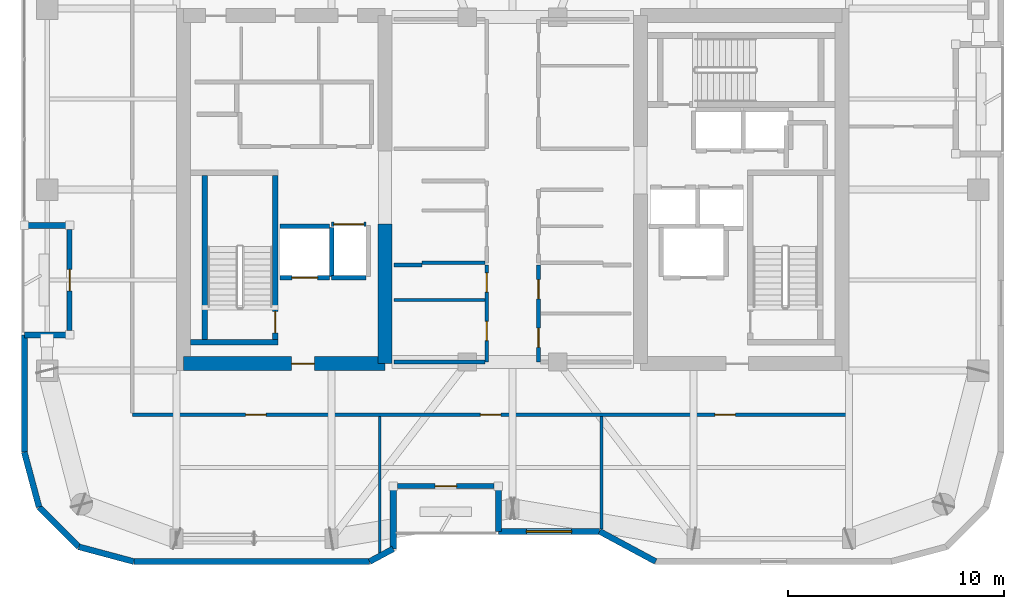
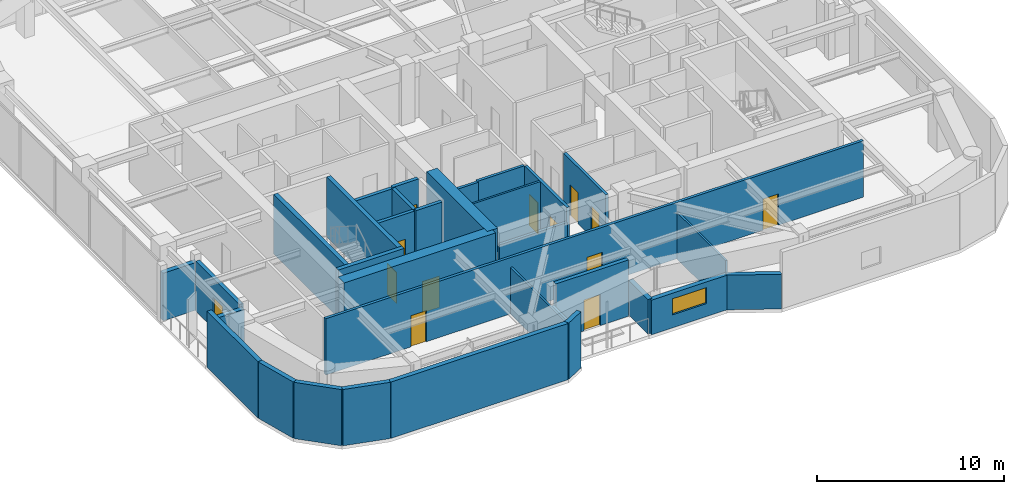
# One storey, part 15 of 21: 33 walls, 13 doors, 1 window, 14 openings.
"""IFC4 building model written with IfcOpenShell, lengths in metres."""

from ifc_helpers import new_model, si_unit, direction, frame, frame_2d, origin, place, context, subcontext, project, spatial, rectangle, extrude, material, layer, layer_set, type_object, element, fill, save


model = new_model("IFC4")

# Units and contexts
model_context = context("Model", 3, precision=1e-05, world=origin(), true_north=direction((0.0, 1.0)))
body_context = subcontext(model_context, "Body", "Model", "MODEL_VIEW")
ifc_project = project(units=[si_unit("LENGTHUNIT", "METRE"), si_unit("AREAUNIT", "SQUARE_METRE"), si_unit("VOLUMEUNIT", "CUBIC_METRE"), si_unit("PLANEANGLEUNIT", "RADIAN"), si_unit("MASSUNIT", "GRAM", prefix="KILO")], contexts=[model_context])

# Site, building, storey
site_placement = place(None, origin())
site = spatial("IfcSite", under=ifc_project, at=site_placement, CompositionType="ELEMENT")
building_placement = place(site_placement, origin())
building = spatial("IfcBuilding", under=site, at=building_placement, Name="Kiyonajd Concourse Tower", CompositionType="ELEMENT")
storey_placement = place(building_placement, frame((0.0, 0.0, 234.89990234375)))
storey = spatial("IfcBuildingStorey", under=building, at=storey_placement, Name="L59", CompositionType="ELEMENT", Elevation=234.89990234375)

# Wall
ifc_material_1 = material(Name="Concrete C60/75", Category="concrete")
ifc_layer_1 = layer(ifc_material_1, 0.64990234375)
ifc_layer_set_1 = layer_set([ifc_layer_1], Name="Concrete C60/75")
wall_type_1 = type_object("IfcWallType", Name="WL-CORE-650", PredefinedType="SHEAR", material=ifc_layer_set_1)
wall_1_placement = place(storey_placement, frame((42.074951171875, 27.925048828125, 0.0), z_axis=(0.0, 0.0, 1.0), x_axis=(0.0, 1.0, 0.0)))
element("IfcWall", 1, at=wall_1_placement, inside=storey, type_object=wall_type_1, Name="L59 West Core Inner South Shear Wall", PredefinedType="SHEAR", context=body_context, shape_type="SweptSolid", body=[
    extrude(rectangle(XDim=6.474853515625, YDim=0.64990234375, at=frame_2d((3.2373046875, 0.0))), origin(), (0.0, 0.0, 1.0), 3.900146484375),
])

# Wall, opening, door
wall_2_placement = place(storey_placement, frame((32.72509765625, 27.925048828125, 0.0), z_axis=(0.0, 0.0, 1.0), x_axis=(1.0, 0.0, 0.0)))
wall_2 = element("IfcWall", 2, at=wall_2_placement, inside=storey, type_object=wall_type_1, Name="L59 West Core South Shear Wall", PredefinedType="SHEAR", context=body_context, shape_type="SweptSolid", body=[
    extrude(rectangle(XDim=9.349853515625, YDim=0.64990234375, at=frame_2d((4.6748046875, 0.0))), origin(), (0.0, 0.0, 1.0), 3.900146484375),
])
opening_1_placement = place(wall_2_placement, frame((5.02490234375, 0.0, 0.0)))
opening_1 = element("IfcOpeningElement", 3, at=opening_1_placement, cuts=wall_2, Name="Opening DF5", PredefinedType="OPENING", context=body_context, shape_type="SweptSolid", body=[
    extrude(rectangle(XDim=1.050048828125, YDim=2.0400390625, at=frame_2d((0.52490234375, 1.02001953125))), frame((0.0, 0.3349609375, 0.0), z_axis=(0.0, -1.0, 0.0), x_axis=(1.0, 0.0, 0.0)), (0.0, 0.0, 1.0), 0.669921875),
])
ifc_material_2 = material(Name="Brushed Stainless Steel Cab Assembly", Category="steel")
door_type_1 = type_object("IfcDoorType", Name="DR-FD45-1050", OperationType="NOTDEFINED", PredefinedType="DOOR", material=ifc_material_2)
door_1_placement = place(opening_1_placement, origin())
door_1 = element("IfcDoor", 4, at=door_1_placement, inside=storey, type_object=door_type_1, Name="L59 Firefighting Lift Lobby W Smoke Door", OperationType="SINGLE_SWING_LEFT", OverallHeight=2.0400390625, OverallWidth=1.050048828125, PredefinedType="DOOR", context=body_context, shape_type="SweptSolid", body=[
    extrude(rectangle(XDim=1.050048828125, YDim=2.0400390625, at=frame_2d((0.52490234375, 1.02001953125))), frame((0.0, 0.02490234375, 0.0), z_axis=(0.0, -1.0, 0.0), x_axis=(1.0, 0.0, 0.0)), (0.0, 0.0, 1.0), 0.050048828125),
])
fill(opening_1, door_1)

# Walls
ifc_material_3 = material(Name="Precast concrete C50/60", Category="concrete")
ifc_layer_2 = layer(ifc_material_3, 0.280029296875)
ifc_layer_set_2 = layer_set([ifc_layer_2], Name="Precast concrete C50/60")
wall_type_2 = type_object("IfcWallType", Name="WL-EXT-280", PredefinedType="SOLIDWALL", material=ifc_layer_set_2)
wall_3_placement = place(storey_placement, frame((26.0224609375, 21.2724609375, 0.0), z_axis=(0.0, 0.0, 1.0), x_axis=(-0.2588904131, 0.965906700466, 0.0)))
element("IfcWall", 5, at=wall_3_placement, inside=storey, type_object=wall_type_2, Name="L59 Exterior Concrete Frame Wall 00", PredefinedType="SOLIDWALL", context=body_context, shape_type="SweptSolid", body=[
    extrude(rectangle(XDim=2.6357421875, YDim=0.280029296875, at=frame_2d((1.31787109375, 0.0))), origin(), (0.0, 0.0, 1.0), 3.68017578125),
])
wall_4_placement = place(storey_placement, frame((25.340087890625, 23.818359375, 0.0), z_axis=(0.0, 0.0, 1.0), x_axis=(0.0, 1.0, 0.0)))
element("IfcWall", 6, at=wall_4_placement, inside=storey, type_object=wall_type_2, Name="L59 Exterior Concrete Frame Wall 01", PredefinedType="SOLIDWALL", context=body_context, shape_type="SweptSolid", body=[
    extrude(rectangle(XDim=5.441650390625, YDim=0.280029296875, at=frame_2d((2.720703125, 0.0))), origin(), (0.0, 0.0, 1.0), 3.68017578125),
])
for number, where, z_axis, x_axis, name in (
    (7, (25.340087890625, 29.260009765625, 0.0), (0.0, 0.0, 1.0), (1.0, 0.0, 0.0), "L59 Exterior Concrete Frame Wall 02"),
    (8, (27.43994140625, 34.340087890625, 0.0), (0.0, 0.0, 1.0), (-1.0, 0.0, 0.0), "L59 Exterior Concrete Frame Wall 04"),
):
    element("IfcWall", number, at=place(storey_placement, frame(where, z_axis=z_axis, x_axis=x_axis)), inside=storey, type_object=wall_type_2, Name=name, PredefinedType="SOLIDWALL", context=body_context, shape_type="SweptSolid", body=[
        extrude(rectangle(XDim=2.099853515625, YDim=0.280029296875, at=frame_2d((1.0498046875, 0.0))), origin(), (0.0, 0.0, 1.0), 3.1162109375),
    ])
wall_5_placement = place(storey_placement, frame((54.63525390625, 18.739990234375, 0.0), z_axis=(0.0, 0.0, 1.0), x_axis=(-0.880473754814, 0.474094892488, 0.0)))
element("IfcWall", 9, at=wall_5_placement, inside=storey, type_object=wall_type_2, Name="L59 Exterior Concrete Frame Wall 29", PredefinedType="SOLIDWALL", context=body_context, shape_type="SweptSolid", body=[
    extrude(rectangle(XDim=2.952880859375, YDim=0.280029296875, at=frame_2d((1.4765625, 0.0))), origin(), (0.0, 0.0, 1.0), 2.26513671875),
])

# Wall, opening, window
wall_6_placement = place(storey_placement, frame((52.035400390625, 20.139892578125, 0.0), z_axis=(0.0, 0.0, 1.0), x_axis=(-1.0, 0.0, 0.0)))
wall_6 = element("IfcWall", 10, at=wall_6_placement, inside=storey, type_object=wall_type_2, Name="L59 Exterior Concrete Frame Wall 30", PredefinedType="SOLIDWALL", context=body_context, shape_type="SweptSolid", body=[
    extrude(rectangle(XDim=4.6953125, YDim=0.280029296875, at=frame_2d((2.34765625, 0.0))), origin(), (0.0, 0.0, 1.0), 2.26513671875),
])
opening_2_placement = place(wall_6_placement, frame((1.298095703125, 0.0, 0.85009765625)))
opening_2 = element("IfcOpeningElement", 11, at=opening_2_placement, cuts=wall_6, Name="Opening WN5", PredefinedType="OPENING", context=body_context, shape_type="SweptSolid", body=[
    extrude(rectangle(XDim=2.10009765625, YDim=1.050048828125, at=frame_2d((1.050048828125, 0.52490234375))), frame((0.0, 0.14990234375, 0.0), z_axis=(0.0, -1.0, 0.0), x_axis=(1.0, 0.0, 0.0)), (0.0, 0.0, 1.0), 0.300048828125),
])
ifc_material_4 = material(Name="Double Low-E Insulated Glass", Category="glass")
window_type = type_object("IfcWindowType", Name="WN-VIS-2100x1050", PartitioningType="SINGLE_PANEL", PredefinedType="WINDOW", material=ifc_material_4)
window_placement = place(opening_2_placement, origin())
window = element("IfcWindow", 12, at=window_placement, inside=storey, type_object=window_type, Name="L59 Modular Facade Vision Window 30", OverallHeight=1.050048828125, OverallWidth=2.10009765625, PartitioningType="SINGLE_PANEL", PredefinedType="WINDOW", context=body_context, shape_type="SweptSolid", body=[
    extrude(rectangle(XDim=2.10009765625, YDim=1.050048828125, at=frame_2d((1.050048828125, 0.52490234375))), frame((0.0, 0.030029296875, 0.0), z_axis=(0.0, -1.0, 0.0), x_axis=(1.0, 0.0, 0.0)), (0.0, 0.0, 1.0), 0.06005859375),
])
fill(opening_2, window)

# Walls
wall_7_placement = place(storey_placement, frame((47.340087890625, 20.139892578125, 0.0), z_axis=(0.0, 0.0, 1.0), x_axis=(0.0, 1.0, 0.0)))
element("IfcWall", 13, at=wall_7_placement, inside=storey, type_object=wall_type_2, Name="L59 Exterior Concrete Frame Wall 31", PredefinedType="SOLIDWALL", context=body_context, shape_type="SweptSolid", body=[
    extrude(rectangle(XDim=2.10009765625, YDim=0.280029296875, at=frame_2d((1.050048828125, 0.0))), origin(), (0.0, 0.0, 1.0), 2.26513671875),
])
wall_8_placement = place(storey_placement, frame((42.4599609375, 22.239990234375, 0.0), z_axis=(0.0, 0.0, 1.0), x_axis=(0.0, -1.0, 0.0)))
element("IfcWall", 14, at=wall_8_placement, inside=storey, type_object=wall_type_2, Name="L59 Exterior Concrete Frame Wall 33", PredefinedType="SOLIDWALL", context=body_context, shape_type="SweptSolid", body=[
    extrude(rectangle(XDim=2.910400390625, YDim=0.280029296875, at=frame_2d((1.455078125, 0.0))), origin(), (0.0, 0.0, 1.0), 2.26513671875),
])
wall_9_placement = place(storey_placement, frame((42.4599609375, 19.32958984375, 0.0), z_axis=(0.0, 0.0, 1.0), x_axis=(-0.880515214249, -0.474017887296, 0.0)))
element("IfcWall", 15, at=wall_9_placement, inside=storey, type_object=wall_type_2, Name="L59 Exterior Concrete Frame Wall 34", PredefinedType="SOLIDWALL", context=body_context, shape_type="SweptSolid", body=[
    extrude(rectangle(XDim=1.243896484375, YDim=0.280029296875, at=frame_2d((0.6220703125, 0.0))), origin(), (0.0, 0.0, 1.0), 3.68017578125),
])
wall_10_placement = place(storey_placement, frame((41.36474609375, 18.739990234375, 0.0), z_axis=(0.0, 0.0, 1.0), x_axis=(-1.0, 0.0, 0.0)))
element("IfcWall", 16, at=wall_10_placement, inside=storey, type_object=wall_type_2, Name="L59 Exterior Concrete Frame Wall 35", PredefinedType="SOLIDWALL", context=body_context, shape_type="SweptSolid", body=[
    extrude(rectangle(XDim=10.9462890625, YDim=0.280029296875, at=frame_2d((5.47314453125, 0.0))), origin(), (0.0, 0.0, 1.0), 3.68017578125),
])
wall_11_placement = place(storey_placement, frame((30.41845703125, 18.739990234375, 0.0), z_axis=(0.0, 0.0, 1.0), x_axis=(-0.965883534663, 0.258976828051, 0.0)))
element("IfcWall", 17, at=wall_11_placement, inside=storey, type_object=wall_type_2, Name="L59 Exterior Concrete Frame Wall 36", PredefinedType="SOLIDWALL", context=body_context, shape_type="SweptSolid", body=[
    extrude(rectangle(XDim=2.6357421875, YDim=0.280029296875, at=frame_2d((1.31787109375, 0.0))), origin(), (0.0, 0.0, 1.0), 3.68017578125),
])
wall_12_placement = place(storey_placement, frame((27.87255859375, 19.422607421875, 0.0), z_axis=(0.0, 0.0, 1.0), x_axis=(-0.707153437963, 0.707060121331, 0.0)))
element("IfcWall", 18, at=wall_12_placement, inside=storey, type_object=wall_type_2, Name="L59 Exterior Concrete Frame Wall 37", PredefinedType="SOLIDWALL", context=body_context, shape_type="SweptSolid", body=[
    extrude(rectangle(XDim=2.6162109375, YDim=0.280029296875, at=frame_2d((1.30810546875, 0.0))), origin(), (0.0, 0.0, 1.0), 3.68017578125),
])

# Wall, opening, door
ifc_layer_3 = layer(ifc_material_3, 0.239990234375)
ifc_layer_set_3 = layer_set([ifc_layer_3], Name="Precast concrete C50/60")
wall_type_3 = type_object("IfcWallType", Name="WL-LOG-240", PredefinedType="SOLIDWALL", material=ifc_layer_set_3)
wall_13_placement = place(storey_placement, frame((27.43994140625, 29.455078125, 0.0), z_axis=(0.0, 0.0, 1.0), x_axis=(0.0, 1.0, 0.0)))
wall_13 = element("IfcWall", 19, at=wall_13_placement, inside=storey, type_object=wall_type_3, Name="L59 Recessed Loggia Thermal Wall LOG-W", PredefinedType="SOLIDWALL", context=body_context, shape_type="SweptSolid", body=[
    extrude(rectangle(XDim=4.68994140625, YDim=0.239990234375, at=frame_2d((2.344970703125, 0.0))), origin(), (0.0, 0.0, 1.0), 3.248046875),
])
opening_3_placement = place(wall_13_placement, frame((1.844970703125, 0.0, 0.0)))
opening_3 = element("IfcOpeningElement", 20, at=opening_3_placement, cuts=wall_13, Name="Opening DL1", PredefinedType="OPENING", context=body_context, shape_type="SweptSolid", body=[
    extrude(rectangle(XDim=1.0, YDim=2.02001953125, at=frame_2d((0.5, 1.010009765625))), frame((0.0, 0.1298828125, 0.0), z_axis=(0.0, -1.0, 0.0), x_axis=(1.0, 0.0, 0.0)), (0.0, 0.0, 1.0), 0.260009765625),
])
ifc_material_5 = material(Name="Thermally Broken Anodised Aluminium", Category="aluminium")
door_type_2 = type_object("IfcDoorType", Name="DR-LOG-1000", OperationType="NOTDEFINED", PredefinedType="DOOR", material=ifc_material_5)
door_2_placement = place(opening_3_placement, origin())
door_2 = element("IfcDoor", 21, at=door_2_placement, inside=storey, type_object=door_type_2, Name="L59 Engawa Loggia Access Door LOG-W", OperationType="SINGLE_SWING_LEFT", OverallHeight=2.02001953125, OverallWidth=1.0, PredefinedType="DOOR", context=body_context, shape_type="SweptSolid", body=[
    extrude(rectangle(XDim=1.0, YDim=2.02001953125, at=frame_2d((0.5, 1.010009765625))), frame((0.0, 0.02490234375, 0.0), z_axis=(0.0, -1.0, 0.0), x_axis=(1.0, 0.0, 0.0)), (0.0, 0.0, 1.0), 0.050048828125),
])
fill(opening_3, door_2)

wall_14_placement = place(storey_placement, frame((47.14501953125, 22.239990234375, 0.0), z_axis=(0.0, 0.0, 1.0), x_axis=(-1.0, 0.0, 0.0)))
wall_14 = element("IfcWall", 22, at=wall_14_placement, inside=storey, type_object=wall_type_3, Name="L59 Recessed Loggia Thermal Wall LOG-S", PredefinedType="SOLIDWALL", context=body_context, shape_type="SweptSolid", body=[
    extrude(rectangle(XDim=4.489990234375, YDim=0.239990234375, at=frame_2d((2.2451171875, 0.0))), origin(), (0.0, 0.0, 1.0), 3.68017578125),
])
opening_4_placement = place(wall_14_placement, frame((1.7451171875, 0.0, 0.0)))
opening_4 = element("IfcOpeningElement", 23, at=opening_4_placement, cuts=wall_14, Name="Opening DL1", PredefinedType="OPENING", context=body_context, shape_type="SweptSolid", body=[
    extrude(rectangle(XDim=1.0, YDim=2.02001953125, at=frame_2d((0.5, 1.010009765625))), frame((0.0, 0.1298828125, 0.0), z_axis=(0.0, -1.0, 0.0), x_axis=(1.0, 0.0, 0.0)), (0.0, 0.0, 1.0), 0.260009765625),
])
door_3_placement = place(opening_4_placement, origin())
door_3 = element("IfcDoor", 24, at=door_3_placement, inside=storey, type_object=door_type_2, Name="L59 Engawa Loggia Access Door LOG-S", OperationType="SINGLE_SWING_RIGHT", OverallHeight=2.02001953125, OverallWidth=1.0, PredefinedType="DOOR", context=body_context, shape_type="SweptSolid", body=[
    extrude(rectangle(XDim=1.0, YDim=2.02001953125, at=frame_2d((0.5, 1.010009765625))), frame((0.0, 0.02490234375, 0.0), z_axis=(0.0, -1.0, 0.0), x_axis=(1.0, 0.0, 0.0)), (0.0, 0.0, 1.0), 0.050048828125),
])
fill(opening_4, door_3)

# Walls
ifc_material_6 = material(Name="Gypsum Board on Cold-Formed Steel Stud", Category="steel")
ifc_layer_4 = layer(ifc_material_6, 0.125)
ifc_layer_set_4 = layer_set([ifc_layer_4], Name="Gypsum Board on Cold-Formed Steel Stud")
wall_type_4 = type_object("IfcWallType", Name="WL-PART-125", PredefinedType="PARTITIONING", material=ifc_layer_set_4)
wall_15_placement = place(storey_placement, frame((42.5, 30.8798828125, 0.0), z_axis=(0.0, 0.0, 1.0), x_axis=(1.0, 0.0, 0.0)))
element("IfcWall", 25, at=wall_15_placement, inside=storey, type_object=wall_type_4, Name="L59 Interior Partition Wall", PredefinedType="PARTITIONING", context=body_context, shape_type="SweptSolid", body=[
    extrude(rectangle(XDim=4.212890625, YDim=0.125, at=frame_2d((2.1064453125, 0.0))), origin(), (0.0, 0.0, 1.0), 3.68017578125),
])
wall_16_placement = place(storey_placement, frame((41.830078125, 19.14599609375, 0.0), z_axis=(0.0, 0.0, 1.0), x_axis=(0.0, 1.0, 0.0)))
element("IfcWall", 26, at=wall_16_placement, inside=storey, type_object=wall_type_4, Name="L59 Interior Partition Wall", PredefinedType="PARTITIONING", context=body_context, shape_type="SweptSolid", body=[
    extrude(rectangle(XDim=6.31689453125, YDim=0.125, at=frame_2d((3.158447265625, 0.0))), origin(), (0.0, 0.0, 1.0), 3.043212890625),
])
wall_17_placement = place(storey_placement, frame((52.1201171875, 20.25, 0.0), z_axis=(0.0, 0.0, 1.0), x_axis=(0.0, 1.0, 0.0)))
element("IfcWall", 27, at=wall_17_placement, inside=storey, type_object=wall_type_4, Name="L59 Interior Partition Wall", PredefinedType="PARTITIONING", context=body_context, shape_type="SweptSolid", body=[
    extrude(rectangle(XDim=5.212890625, YDim=0.125, at=frame_2d((2.6064453125, 0.0))), origin(), (0.0, 0.0, 1.0), 3.043212890625),
])

# Wall, opening, door
ifc_layer_5 = layer(ifc_material_6, 0.2099609375)
ifc_layer_set_5 = layer_set([ifc_layer_5], Name="Gypsum Board on Cold-Formed Steel Stud")
wall_type_5 = type_object("IfcWallType", Name="WL-SHAFT-210", PredefinedType="PARTITIONING", material=ifc_layer_set_5)
wall_18_placement = place(storey_placement, frame((37.199951171875, 31.89990234375, 0.0), z_axis=(0.0, 0.0, 1.0), x_axis=(1.0, 0.0, 0.0)))
wall_18 = element("IfcWall", 28, at=wall_18_placement, inside=storey, type_object=wall_type_5, Name="L59 Shaft Enclosure Wall", PredefinedType="PARTITIONING", context=body_context, shape_type="SweptSolid", body=[
    extrude(rectangle(XDim=2.300048828125, YDim=0.2099609375, at=frame_2d((1.14990234375, 0.0))), origin(), (0.0, 0.0, 1.0), 3.68017578125),
])
opening_5_placement = place(wall_18_placement, frame((0.550048828125, 0.0, 0.0)))
opening_5 = element("IfcOpeningElement", 29, at=opening_5_placement, cuts=wall_18, Name="Opening LD2", PredefinedType="OPENING", context=body_context, shape_type="SweptSolid", body=[
    extrude(rectangle(XDim=1.199951171875, YDim=2.0400390625, at=frame_2d((0.60009765625, 1.02001953125))), frame((0.0, 0.114990234375, 0.0), z_axis=(0.0, -1.0, 0.0), x_axis=(1.0, 0.0, 0.0)), (0.0, 0.0, 1.0), 0.22998046875),
])
door_type_3 = type_object("IfcDoorType", Name="DR-LD-1200", OperationType="DOUBLE_DOOR_SLIDING", PredefinedType="DOOR", material=ifc_material_2)
door_4_placement = place(opening_5_placement, origin())
door_4 = element("IfcDoor", 30, at=door_4_placement, inside=storey, type_object=door_type_3, Name="L59 Lift FFL1 Sliding Landing Door", OperationType="DOUBLE_DOOR_SLIDING", OverallHeight=2.0400390625, OverallWidth=1.199951171875, PredefinedType="DOOR", context=body_context, shape_type="SweptSolid", body=[
    extrude(rectangle(XDim=1.199951171875, YDim=2.0400390625, at=frame_2d((0.60009765625, 1.02001953125))), frame((0.0, 0.02490234375, 0.0), z_axis=(0.0, -1.0, 0.0), x_axis=(1.0, 0.0, 0.0)), (0.0, 0.0, 1.0), 0.050048828125),
])
fill(opening_5, door_4)

# Walls
wall_19_placement = place(storey_placement, frame((37.199951171875, 34.300048828125, 0.0), z_axis=(0.0, 0.0, 1.0), x_axis=(1.0, 0.0, 0.0)))
element("IfcWall", 31, at=wall_19_placement, inside=storey, type_object=wall_type_5, Name="L59 Shaft Enclosure Wall", PredefinedType="PARTITIONING", context=body_context, shape_type="SweptSolid", body=[
    extrude(rectangle(XDim=2.300048828125, YDim=0.2099609375, at=frame_2d((1.14990234375, 0.0))), origin(), (0.0, 0.0, 1.0), 3.68017578125),
])
wall_20_placement = place(storey_placement, frame((39.60009765625, 31.9599609375, 0.0), z_axis=(0.0, 0.0, 1.0), x_axis=(0.0, 1.0, 0.0)))
element("IfcWall", 32, at=wall_20_placement, inside=storey, type_object=wall_type_5, Name="L59 Shaft Enclosure Wall", PredefinedType="PARTITIONING", context=body_context, shape_type="SweptSolid", body=[
    extrude(rectangle(XDim=2.280029296875, YDim=0.2099609375, at=frame_2d((1.14013671875, 0.0))), origin(), (0.0, 0.0, 1.0), 3.68017578125),
])

# Wall, opening, door
wall_21_placement = place(storey_placement, frame((39.60009765625, 34.39990234375, 0.0), z_axis=(0.0, 0.0, 1.0), x_axis=(1.0, 0.0, 0.0)))
wall_21 = element("IfcWall", 33, at=wall_21_placement, inside=storey, type_object=wall_type_5, Name="L59 Shaft Enclosure Wall", PredefinedType="PARTITIONING", context=body_context, shape_type="SweptSolid", body=[
    extrude(rectangle(XDim=1.599853515625, YDim=0.2099609375, at=frame_2d((0.7998046875, 0.0))), origin(), (0.0, 0.0, 1.0), 3.68017578125),
])
opening_6_placement = place(wall_21_placement, frame((0.10009765625, 0.0, 0.0)))
opening_6 = element("IfcOpeningElement", 34, at=opening_6_placement, cuts=wall_21, Name="Opening LD3", PredefinedType="OPENING", context=body_context, shape_type="SweptSolid", body=[
    extrude(rectangle(XDim=1.39990234375, YDim=2.06005859375, at=frame_2d((0.699951171875, 1.030029296875))), frame((0.0, 0.114990234375, 0.0), z_axis=(0.0, -1.0, 0.0), x_axis=(1.0, 0.0, 0.0)), (0.0, 0.0, 1.0), 0.22998046875),
])
door_type_4 = type_object("IfcDoorType", Name="DR-LD-1400", OperationType="DOUBLE_DOOR_SLIDING", PredefinedType="DOOR", material=ifc_material_2)
door_5_placement = place(opening_6_placement, origin())
door_5 = element("IfcDoor", 35, at=door_5_placement, inside=storey, type_object=door_type_4, Name="L59 Lift SVL1 Sliding Landing Door", OperationType="DOUBLE_DOOR_SLIDING", OverallHeight=2.06005859375, OverallWidth=1.39990234375, PredefinedType="DOOR", context=body_context, shape_type="SweptSolid", body=[
    extrude(rectangle(XDim=1.39990234375, YDim=2.06005859375, at=frame_2d((0.699951171875, 1.030029296875))), frame((0.0, 0.02490234375, 0.0), z_axis=(0.0, -1.0, 0.0), x_axis=(1.0, 0.0, 0.0)), (0.0, 0.0, 1.0), 0.050048828125),
])
fill(opening_6, door_5)

# Walls
wall_22_placement = place(storey_placement, frame((39.60009765625, 31.89990234375, 0.0), z_axis=(0.0, 0.0, 1.0), x_axis=(1.0, 0.0, 0.0)))
element("IfcWall", 36, at=wall_22_placement, inside=storey, type_object=wall_type_5, Name="L59 Shaft Enclosure Wall", PredefinedType="PARTITIONING", context=body_context, shape_type="SweptSolid", body=[
    extrude(rectangle(XDim=1.599853515625, YDim=0.2099609375, at=frame_2d((0.7998046875, 0.0))), origin(), (0.0, 0.0, 1.0), 3.68017578125),
])
ifc_layer_6 = layer(ifc_material_6, 0.169921875)
ifc_layer_set_6 = layer_set([ifc_layer_6], Name="Gypsum Board on Cold-Formed Steel Stud")
wall_type_6 = type_object("IfcWallType", Name="WL-SMK-170", PredefinedType="PARTITIONING", material=ifc_layer_set_6)
wall_23_placement = place(storey_placement, frame((43.800048828125, 32.60009765625, 0.0), z_axis=(0.0, 0.0, 1.0), x_axis=(1.0, 0.0, 0.0)))
element("IfcWall", 37, at=wall_23_placement, inside=storey, type_object=wall_type_6, Name="L59 Interior Partition Wall", PredefinedType="PARTITIONING", context=body_context, shape_type="SweptSolid", body=[
    extrude(rectangle(XDim=2.912841796875, YDim=0.169921875, at=frame_2d((1.45654296875, 0.0))), origin(), (0.0, 0.0, 1.0), 3.68017578125),
])

# Wall, openings, doors
wall_24_placement = place(storey_placement, frame((46.800048828125, 28.0, 0.0), z_axis=(0.0, 0.0, 1.0), x_axis=(0.0, 1.0, 0.0)))
wall_24 = element("IfcWall", 38, at=wall_24_placement, inside=storey, type_object=wall_type_6, Name="L59 Interior Partition Wall", PredefinedType="PARTITIONING", context=body_context, shape_type="SweptSolid", body=[
    extrude(rectangle(XDim=4.5, YDim=0.169921875, at=frame_2d((2.25, 0.0))), origin(), (0.0, 0.0, 1.0), 3.68017578125),
])
opening_7_placement = place(wall_24_placement, frame((0.989990234375, 0.0, 0.0)))
opening_7 = element("IfcOpeningElement", 39, at=opening_7_placement, cuts=wall_24, Name="Opening DF4", PredefinedType="OPENING", context=body_context, shape_type="SweptSolid", body=[
    extrude(rectangle(XDim=0.89990234375, YDim=2.02001953125, at=frame_2d((0.449951171875, 1.010009765625))), frame((0.0, 0.094970703125, 0.0), z_axis=(0.0, -1.0, 0.0), x_axis=(1.0, 0.0, 0.0)), (0.0, 0.0, 1.0), 0.18994140625),
])
opening_8_placement = place(wall_24_placement, frame((3.239990234375, 0.0, 0.0)))
opening_8 = element("IfcOpeningElement", 40, at=opening_8_placement, cuts=wall_24, Name="Opening DF4", PredefinedType="OPENING", context=body_context, shape_type="SweptSolid", body=[
    extrude(rectangle(XDim=0.89990234375, YDim=2.02001953125, at=frame_2d((0.449951171875, 1.010009765625))), frame((0.0, 0.094970703125, 0.0), z_axis=(0.0, -1.0, 0.0), x_axis=(1.0, 0.0, 0.0)), (0.0, 0.0, 1.0), 0.18994140625),
])
door_type_5 = type_object("IfcDoorType", Name="DR-FD60-900", OperationType="NOTDEFINED", PredefinedType="DOOR", material=ifc_material_2)
door_6_placement = place(opening_7_placement, origin())
door_6 = element("IfcDoor", 41, at=door_6_placement, inside=storey, type_object=door_type_5, Name="L59 Interior Door", OperationType="SINGLE_SWING_RIGHT", OverallHeight=2.02001953125, OverallWidth=0.89990234375, PredefinedType="DOOR", context=body_context, shape_type="SweptSolid", body=[
    extrude(rectangle(XDim=0.89990234375, YDim=2.02001953125, at=frame_2d((0.449951171875, 1.010009765625))), frame((0.0, 0.02490234375, 0.0), z_axis=(0.0, -1.0, 0.0), x_axis=(1.0, 0.0, 0.0)), (0.0, 0.0, 1.0), 0.050048828125),
])
fill(opening_7, door_6)
door_7_placement = place(opening_8_placement, origin())
door_7 = element("IfcDoor", 42, at=door_7_placement, inside=storey, type_object=door_type_5, Name="L59 Interior Door", OperationType="SINGLE_SWING_LEFT", OverallHeight=2.02001953125, OverallWidth=0.89990234375, PredefinedType="DOOR", context=body_context, shape_type="SweptSolid", body=[
    extrude(rectangle(XDim=0.89990234375, YDim=2.02001953125, at=frame_2d((0.449951171875, 1.010009765625))), frame((0.0, 0.02490234375, 0.0), z_axis=(0.0, -1.0, 0.0), x_axis=(1.0, 0.0, 0.0)), (0.0, 0.0, 1.0), 0.050048828125),
])
fill(opening_8, door_7)

# Walls
wall_25_placement = place(storey_placement, frame((42.5, 28.0, 0.0), z_axis=(0.0, 0.0, 1.0), x_axis=(1.0, 0.0, 0.0)))
element("IfcWall", 43, at=wall_25_placement, inside=storey, type_object=wall_type_6, Name="L59 Interior Partition Wall", PredefinedType="PARTITIONING", context=body_context, shape_type="SweptSolid", body=[
    extrude(rectangle(XDim=4.212890625, YDim=0.169921875, at=frame_2d((2.1064453125, 0.0))), origin(), (0.0, 0.0, 1.0), 2.76513671875),
])
wall_26_placement = place(storey_placement, frame((42.5, 32.5, 0.0), z_axis=(0.0, 0.0, 1.0), x_axis=(1.0, 0.0, 0.0)))
element("IfcWall", 44, at=wall_26_placement, inside=storey, type_object=wall_type_6, Name="L59 Interior Partition Wall", PredefinedType="PARTITIONING", context=body_context, shape_type="SweptSolid", body=[
    extrude(rectangle(XDim=1.300048828125, YDim=0.169921875, at=frame_2d((0.64990234375, 0.0))), origin(), (0.0, 0.0, 1.0), 3.68017578125),
])

# Wall, openings, doors
wall_27_placement = place(storey_placement, frame((49.199951171875, 28.0, 0.0), z_axis=(0.0, 0.0, 1.0), x_axis=(0.0, 1.0, 0.0)))
wall_27 = element("IfcWall", 45, at=wall_27_placement, inside=storey, type_object=wall_type_6, Name="L59 Interior Partition Wall", PredefinedType="PARTITIONING", context=body_context, shape_type="SweptSolid", body=[
    extrude(rectangle(XDim=4.5, YDim=0.169921875, at=frame_2d((2.25, 0.0))), origin(), (0.0, 0.0, 1.0), 3.68017578125),
])
opening_9_placement = place(wall_27_placement, frame((0.675048828125, 0.0, 0.0)))
opening_9 = element("IfcOpeningElement", 46, at=opening_9_placement, cuts=wall_27, Name="Opening DI2", PredefinedType="OPENING", context=body_context, shape_type="SweptSolid", body=[
    extrude(rectangle(XDim=0.89990234375, YDim=2.02001953125, at=frame_2d((0.449951171875, 1.010009765625))), frame((0.0, 0.094970703125, 0.0), z_axis=(0.0, -1.0, 0.0), x_axis=(1.0, 0.0, 0.0)), (0.0, 0.0, 1.0), 0.18994140625),
])
opening_10_placement = place(wall_27_placement, frame((2.925048828125, 0.0, 0.0)))
opening_10 = element("IfcOpeningElement", 47, at=opening_10_placement, cuts=wall_27, Name="Opening DI2", PredefinedType="OPENING", context=body_context, shape_type="SweptSolid", body=[
    extrude(rectangle(XDim=0.89990234375, YDim=2.02001953125, at=frame_2d((0.449951171875, 1.010009765625))), frame((0.0, 0.094970703125, 0.0), z_axis=(0.0, -1.0, 0.0), x_axis=(1.0, 0.0, 0.0)), (0.0, 0.0, 1.0), 0.18994140625),
])
ifc_material_7 = material(Name="Natural Oak Acoustic Timber Veneer", Category="wood")
door_type_6 = type_object("IfcDoorType", Name="DR-INT-900", OperationType="NOTDEFINED", PredefinedType="DOOR", material=ifc_material_7)
door_8_placement = place(opening_9_placement, origin())
door_8 = element("IfcDoor", 48, at=door_8_placement, inside=storey, type_object=door_type_6, Name="L59 Interior Door", OperationType="SINGLE_SWING_RIGHT", OverallHeight=2.02001953125, OverallWidth=0.89990234375, PredefinedType="DOOR", context=body_context, shape_type="SweptSolid", body=[
    extrude(rectangle(XDim=0.89990234375, YDim=2.02001953125, at=frame_2d((0.449951171875, 1.010009765625))), frame((0.0, 0.02490234375, 0.0), z_axis=(0.0, -1.0, 0.0), x_axis=(1.0, 0.0, 0.0)), (0.0, 0.0, 1.0), 0.050048828125),
])
fill(opening_9, door_8)
door_9_placement = place(opening_10_placement, origin())
door_9 = element("IfcDoor", 49, at=door_9_placement, inside=storey, type_object=door_type_6, Name="L59 Interior Door", OperationType="SINGLE_SWING_LEFT", OverallHeight=2.02001953125, OverallWidth=0.89990234375, PredefinedType="DOOR", context=body_context, shape_type="SweptSolid", body=[
    extrude(rectangle(XDim=0.89990234375, YDim=2.02001953125, at=frame_2d((0.449951171875, 1.010009765625))), frame((0.0, 0.02490234375, 0.0), z_axis=(0.0, -1.0, 0.0), x_axis=(1.0, 0.0, 0.0)), (0.0, 0.0, 1.0), 0.050048828125),
])
fill(opening_10, door_9)

wall_28_placement = place(storey_placement, frame((30.35009765625, 25.550048828125, 0.0), z_axis=(0.0, 0.0, 1.0), x_axis=(1.0, 0.0, 0.0)))
wall_28 = element("IfcWall", 50, at=wall_28_placement, inside=storey, type_object=wall_type_6, Name="L59 Interior Partition Wall", PredefinedType="PARTITIONING", context=body_context, shape_type="SweptSolid", body=[
    extrude(rectangle(XDim=33.25, YDim=0.169921875, at=frame_2d((16.625, 0.0))), origin(), (0.0, 0.0, 1.0), 3.68017578125),
])
opening_11_placement = place(wall_28_placement, frame((5.264892578125, 0.0, 0.0)))
opening_11 = element("IfcOpeningElement", 51, at=opening_11_placement, cuts=wall_28, Name="Opening DI1", PredefinedType="OPENING", context=body_context, shape_type="SweptSolid", body=[
    extrude(rectangle(XDim=0.949951171875, YDim=2.0400390625, at=frame_2d((0.47509765625, 1.02001953125))), frame((0.0, 0.094970703125, 0.0), z_axis=(0.0, -1.0, 0.0), x_axis=(1.0, 0.0, 0.0)), (0.0, 0.0, 1.0), 0.18994140625),
])
opening_12_placement = place(wall_28_placement, frame((16.14990234375, 0.0, 0.0)))
opening_12 = element("IfcOpeningElement", 52, at=opening_12_placement, cuts=wall_28, Name="Opening DI1", PredefinedType="OPENING", context=body_context, shape_type="SweptSolid", body=[
    extrude(rectangle(XDim=0.949951171875, YDim=2.0400390625, at=frame_2d((0.47509765625, 1.02001953125))), frame((0.0, 0.094970703125, 0.0), z_axis=(0.0, -1.0, 0.0), x_axis=(1.0, 0.0, 0.0)), (0.0, 0.0, 1.0), 0.18994140625),
])
opening_13_placement = place(wall_28_placement, frame((27.034912109375, 0.0, 0.0)))
opening_13 = element("IfcOpeningElement", 53, at=opening_13_placement, cuts=wall_28, Name="Opening DI1", PredefinedType="OPENING", context=body_context, shape_type="SweptSolid", body=[
    extrude(rectangle(XDim=0.949951171875, YDim=2.0400390625, at=frame_2d((0.47509765625, 1.02001953125))), frame((0.0, 0.094970703125, 0.0), z_axis=(0.0, -1.0, 0.0), x_axis=(1.0, 0.0, 0.0)), (0.0, 0.0, 1.0), 0.18994140625),
])
door_type_7 = type_object("IfcDoorType", Name="DR-INT-950", OperationType="NOTDEFINED", PredefinedType="DOOR", material=ifc_material_7)
door_10_placement = place(opening_11_placement, origin())
door_10 = element("IfcDoor", 54, at=door_10_placement, inside=storey, type_object=door_type_7, Name="L59 Interior Door", OperationType="SINGLE_SWING_LEFT", OverallHeight=2.0400390625, OverallWidth=0.949951171875, PredefinedType="DOOR", context=body_context, shape_type="SweptSolid", body=[
    extrude(rectangle(XDim=0.949951171875, YDim=2.0400390625, at=frame_2d((0.47509765625, 1.02001953125))), frame((0.0, 0.02490234375, 0.0), z_axis=(0.0, -1.0, 0.0), x_axis=(1.0, 0.0, 0.0)), (0.0, 0.0, 1.0), 0.050048828125),
])
fill(opening_11, door_10)
door_11_placement = place(opening_12_placement, origin())
door_11 = element("IfcDoor", 55, at=door_11_placement, inside=storey, type_object=door_type_7, Name="L59 Interior Door", OperationType="SINGLE_SWING_RIGHT", OverallHeight=2.0400390625, OverallWidth=0.949951171875, PredefinedType="DOOR", context=body_context, shape_type="SweptSolid", body=[
    extrude(rectangle(XDim=0.949951171875, YDim=2.0400390625, at=frame_2d((0.47509765625, 1.02001953125))), frame((0.0, 0.02490234375, 0.0), z_axis=(0.0, -1.0, 0.0), x_axis=(1.0, 0.0, 0.0)), (0.0, 0.0, 1.0), 0.050048828125),
])
fill(opening_12, door_11)
door_12_placement = place(opening_13_placement, origin())
door_12 = element("IfcDoor", 56, at=door_12_placement, inside=storey, type_object=door_type_7, Name="L59 Interior Door", OperationType="SINGLE_SWING_LEFT", OverallHeight=2.0400390625, OverallWidth=0.949951171875, PredefinedType="DOOR", context=body_context, shape_type="SweptSolid", body=[
    extrude(rectangle(XDim=0.949951171875, YDim=2.0400390625, at=frame_2d((0.47509765625, 1.02001953125))), frame((0.0, 0.02490234375, 0.0), z_axis=(0.0, -1.0, 0.0), x_axis=(1.0, 0.0, 0.0)), (0.0, 0.0, 1.0), 0.050048828125),
])
fill(opening_13, door_12)

# Walls
ifc_material_8 = material(Name="Concrete C50/60", Category="concrete")
ifc_layer_7 = layer(ifc_material_8, 0.260009765625)
ifc_layer_set_7 = layer_set([ifc_layer_7], Name="Concrete C50/60")
wall_type_7 = type_object("IfcWallType", Name="WL-STAIR-260", PredefinedType="SHEAR", material=ifc_layer_set_7)
wall_29_placement = place(storey_placement, frame((33.050048828125, 28.919921875, 0.0), z_axis=(0.0, 0.0, 1.0), x_axis=(1.0, 0.0, 0.0)))
element("IfcWall", 57, at=wall_29_placement, inside=storey, type_object=wall_type_7, Name="L59 Stair ST1 Structural South Wall", PredefinedType="SHEAR", context=body_context, shape_type="SweptSolid", body=[
    extrude(rectangle(XDim=4.06005859375, YDim=0.260009765625, at=frame_2d((2.030029296875, 0.0))), origin(), (0.0, 0.0, 1.0), 3.900146484375),
])
wall_30_placement = place(storey_placement, frame((33.719970703125, 29.050048828125, 0.0), z_axis=(0.0, 0.0, 1.0), x_axis=(0.0, 1.0, 0.0)))
element("IfcWall", 58, at=wall_30_placement, inside=storey, type_object=wall_type_7, Name="L59 Stair ST1 Structural West Wall", PredefinedType="SHEAR", context=body_context, shape_type="SweptSolid", body=[
    extrude(rectangle(XDim=7.599853515625, YDim=0.260009765625, at=frame_2d((3.7998046875, 0.0))), origin(), (0.0, 0.0, 1.0), 3.900146484375),
])

# Wall, opening, door
wall_31_placement = place(storey_placement, frame((36.97998046875, 29.050048828125, 0.0), z_axis=(0.0, 0.0, 1.0), x_axis=(0.0, 1.0, 0.0)))
wall_31 = element("IfcWall", 59, at=wall_31_placement, inside=storey, type_object=wall_type_7, Name="L59 Stair ST1 Structural East Wall", PredefinedType="SHEAR", context=body_context, shape_type="SweptSolid", body=[
    extrude(rectangle(XDim=7.599853515625, YDim=0.260009765625, at=frame_2d((3.7998046875, 0.0))), origin(), (0.0, 0.0, 1.0), 3.900146484375),
])
opening_14_placement = place(wall_31_placement, frame((0.300048828125, 0.0, 0.0)))
opening_14 = element("IfcOpeningElement", 60, at=opening_14_placement, cuts=wall_31, Name="Opening DF1", PredefinedType="OPENING", context=body_context, shape_type="SweptSolid", body=[
    extrude(rectangle(XDim=1.0, YDim=2.0400390625, at=frame_2d((0.5, 1.02001953125))), frame((0.0, 0.139892578125, 0.0), z_axis=(0.0, -1.0, 0.0), x_axis=(1.0, 0.0, 0.0)), (0.0, 0.0, 1.0), 0.280029296875),
])
door_type_8 = type_object("IfcDoorType", Name="DR-FD90-1000", OperationType="NOTDEFINED", PredefinedType="DOOR", material=ifc_material_2)
door_13_placement = place(opening_14_placement, origin())
door_13 = element("IfcDoor", 61, at=door_13_placement, inside=storey, type_object=door_type_8, Name="L59 Stair ST1 FSAE Door", OperationType="SINGLE_SWING_LEFT", OverallHeight=2.0400390625, OverallWidth=1.0, PredefinedType="DOOR", context=body_context, shape_type="SweptSolid", body=[
    extrude(rectangle(XDim=1.0, YDim=2.0400390625, at=frame_2d((0.5, 1.02001953125))), frame((0.0, 0.02490234375, 0.0), z_axis=(0.0, -1.0, 0.0), x_axis=(1.0, 0.0, 0.0)), (0.0, 0.0, 1.0), 0.050048828125),
])
fill(opening_14, door_13)

save(model, "model.ifc")
